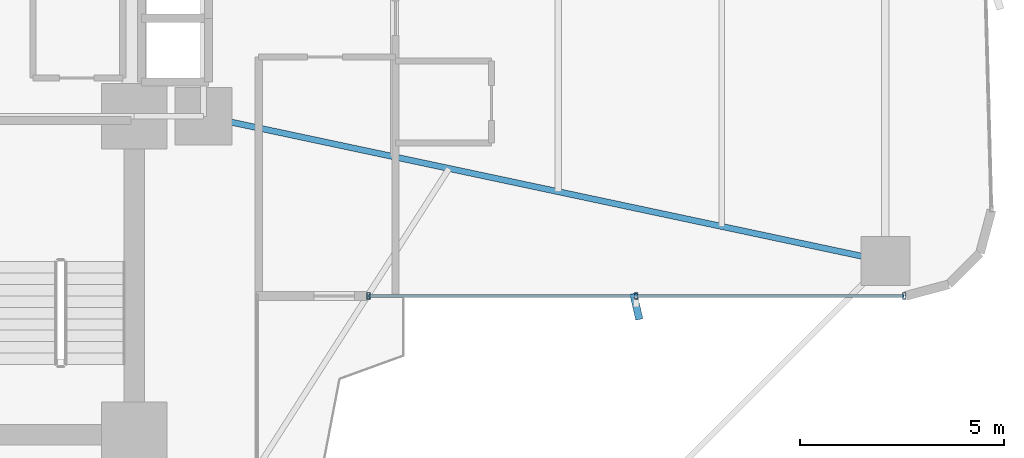
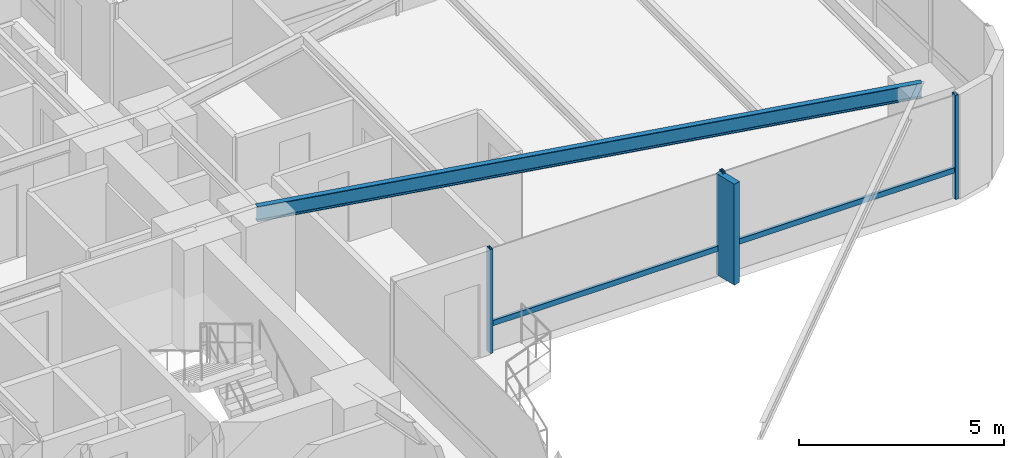
# One storey, part 14 of 26: 6 members, 1 beam, 1 element without a shape of its own.
"""IFC4 building model written with IfcOpenShell, lengths in metres."""

from ifc_helpers import new_model, si_unit, direction, frame, origin, origin_2d, place, context, subcontext, project, spatial, rectangle, hollow_rectangle, i_section, extrude, source, transform, mapped, material, material_profile, profile_set, type_object, element, aggregate, save


model = new_model("IFC4")

# Units and contexts
model_context = context("Model", 3, precision=1e-05, world=origin(), true_north=direction((0.0, 1.0)))
body_context = subcontext(model_context, "Body", "Model", "MODEL_VIEW")
ifc_project = project(units=[si_unit("LENGTHUNIT", "METRE"), si_unit("AREAUNIT", "SQUARE_METRE"), si_unit("VOLUMEUNIT", "CUBIC_METRE"), si_unit("PLANEANGLEUNIT", "RADIAN"), si_unit("MASSUNIT", "GRAM", prefix="KILO")], contexts=[model_context])

# Site, building, storey
site_placement = place(None, origin())
site = spatial("IfcSite", under=ifc_project, at=site_placement, CompositionType="ELEMENT")
building_placement = place(site_placement, origin())
building = spatial("IfcBuilding", under=site, at=building_placement, Name="Sahyath Konkavel Grand Hotel", CompositionType="ELEMENT")
storey_placement = place(building_placement, frame((0.0, 0.0, 29.800048828125)))
storey = spatial("IfcBuildingStorey", under=building, at=storey_placement, Name="L07", CompositionType="ELEMENT", Elevation=29.800048828125)

# Beam
ifc_material_1 = material(Name="Steel E350", Category="steel")
ifc_material_profile_1 = material_profile(ifc_material_1, i_section(OverallWidth=0.14990234375, OverallDepth=0.449951171875, WebThickness=0.009521484375, FlangeThickness=0.017333984375, FilletRadius=0.014892578125, at=origin_2d()), Name="ISMB 450")
ifc_profile_set_1 = profile_set([ifc_material_profile_1], Name="Steel E350")
beam_type = type_object("IfcBeamType", Name="BM-ISMB450", PredefinedType="BEAM", material=ifc_profile_set_1)
shared_shape_1 = source(origin(), body_context, "Body", "SweptSolid", [
    extrude(i_section(OverallWidth=0.14990234375, OverallDepth=0.449951171875, WebThickness=0.009521484375, FlangeThickness=0.017333984375, FilletRadius=0.014892578125, at=origin_2d()), origin(), (0.0, 0.0, 1.0), 17.072998046875),
])
beam_placement = place(storey_placement, frame((5.5, -2.39990234375, 2.885009765625), z_axis=(0.978143257225, -0.20793212437, 0.0), x_axis=(0.20793212437, 0.978143257225, 0.0)))
element("IfcBeam", 1, at=beam_placement, inside=storey, type_object=beam_type, Name="L07 Cruciform Radial Girder EA", PredefinedType="BEAM", context=body_context, shape_type="MappedRepresentation", body=[
    mapped(shared_shape_1, transform((0.0, 0.0, 0.0), scale=1.0)),
])

# Curtain wall, members
ifc_material_2 = material(Name="Anodised Bronze Aluminium & Low-E Glazing", Category="aluminium")
curtain_wall_type = type_object("IfcCurtainWallType", Name="CW-ZONE1", PredefinedType="NOTDEFINED", material=ifc_material_2)
curtain_wall_placement = place(storey_placement, origin())
curtain_wall = element("IfcCurtainWall", 2, at=curtain_wall_placement, inside=storey, type_object=curtain_wall_type, Name="L07 Unitised Curtain Wall F0", PredefinedType="NOTDEFINED")
ifc_material_3 = material(Name="Anodised Bronze Aluminium", Category="aluminium")
ifc_material_profile_2 = material_profile(ifc_material_3, hollow_rectangle(XDim=0.080078125, YDim=0.159912109375, WallThickness=0.006103515625, at=origin_2d()), Name="RHS 160x80x6")
ifc_profile_set_2 = profile_set([ifc_material_profile_2], Name="Anodised Bronze Aluminium")
member_type_1 = type_object("IfcMemberType", Name="CW-MUL-160", PredefinedType="MULLION", material=ifc_profile_set_2)
shared_shape_2 = source(origin(), body_context, "Body", "SweptSolid", [
    extrude(hollow_rectangle(XDim=0.080078125, YDim=0.159912109375, WallThickness=0.006103515625, at=origin_2d()), origin(), (0.0, 0.0, 1.0), 3.10986328125),
])
member_1_placement = place(storey_placement, frame((9.5400390625, -6.800048828125, 0.0), z_axis=(0.0, 0.0, 1.0), x_axis=(1.0, 0.0, 0.0)))
member_1 = element("IfcMember", 3, at=member_1_placement, type_object=member_type_1, Name="L07 Curtain Wall Mullion F0-0", PredefinedType="MULLION", context=body_context, shape_type="MappedRepresentation", body=[
    mapped(shared_shape_2, transform((0.0, 0.0, 0.0), scale=1.0)),
])
member_2_placement = place(storey_placement, frame((16.10009765625, -6.800048828125, 0.0), z_axis=(0.0, 0.0, 1.0), x_axis=(1.0, 0.0, 0.0)))
member_2 = element("IfcMember", 4, at=member_2_placement, type_object=member_type_1, Name="L07 Curtain Wall Mullion F0-1", PredefinedType="MULLION", context=body_context, shape_type="MappedRepresentation", body=[
    mapped(shared_shape_2, transform((0.0, 0.0, 0.0), scale=1.0)),
])
member_3_placement = place(storey_placement, frame((22.659912109375, -6.800048828125, 0.0), z_axis=(0.0, 0.0, 1.0), x_axis=(1.0, 0.0, 0.0)))
member_3 = element("IfcMember", 5, at=member_3_placement, type_object=member_type_1, Name="L07 Curtain Wall Mullion F0-2", PredefinedType="MULLION", context=body_context, shape_type="MappedRepresentation", body=[
    mapped(shared_shape_2, transform((0.0, 0.0, 0.0), scale=1.0)),
])
ifc_material_4 = material(Name="Warm Buff Sandstone Cladding on Concrete C50/60", Category="masonry")
ifc_material_profile_3 = material_profile(ifc_material_4, rectangle(XDim=0.179931640625, YDim=0.64990234375, at=origin_2d()), Name="FIN 180x650")
ifc_profile_set_3 = profile_set([ifc_material_profile_3], Name="Warm Buff Sandstone Cladding on Concrete C50/60")
member_type_2 = type_object("IfcMemberType", Name="FIN-SANDSTONE-650", PredefinedType="MULLION", material=ifc_profile_set_3)
shared_shape_3 = source(origin(), body_context, "Body", "SweptSolid", [
    extrude(rectangle(XDim=0.179931640625, YDim=0.64990234375, at=origin_2d()), origin(), (0.0, 0.0, 1.0), 3.010009765625),
])
member_4_placement = place(storey_placement, frame((16.10009765625, -7.06005859375, 0.050048828125), z_axis=(0.0, 0.0, 1.0), x_axis=(0.973896791711, 0.226991275371, 0.0)))
member_4 = element("IfcMember", 6, at=member_4_placement, type_object=member_type_2, Name="L07 Sandstone Vertical Solar Fin FIN F0-1", PredefinedType="MULLION", context=body_context, shape_type="MappedRepresentation", body=[
    mapped(shared_shape_3, transform((0.0, 0.0, 0.0), scale=1.0)),
])
ifc_material_profile_4 = material_profile(ifc_material_3, hollow_rectangle(XDim=0.080078125, YDim=0.159912109375, WallThickness=0.006103515625, at=origin_2d()), Name="RHS 160x80x6")
ifc_profile_set_4 = profile_set([ifc_material_profile_4], Name="Anodised Bronze Aluminium")
member_type_3 = type_object("IfcMemberType", Name="CW-TRN-160", PredefinedType="USERDEFINED", material=ifc_profile_set_4)
shared_shape_4 = source(origin(), body_context, "Body", "SweptSolid", [
    extrude(hollow_rectangle(XDim=0.080078125, YDim=0.159912109375, WallThickness=0.006103515625, at=origin_2d()), origin(), (0.0, 0.0, 1.0), 6.56005859375),
])
member_5_placement = place(storey_placement, frame((9.5400390625, -6.800048828125, 0.849853515625), z_axis=(1.0, 0.0, 0.0), x_axis=(0.0, 1.0, 0.0)))
member_5 = element("IfcMember", 7, at=member_5_placement, type_object=member_type_3, Name="L07 Curtain Wall Transom F0-0-spandrel", ObjectType="TRANSOM", PredefinedType="USERDEFINED", context=body_context, shape_type="MappedRepresentation", body=[
    mapped(shared_shape_4, transform((0.0, 0.0, 0.0), scale=1.0)),
])
shared_shape_5 = source(origin(), body_context, "Body", "SweptSolid", [
    extrude(hollow_rectangle(XDim=0.080078125, YDim=0.159912109375, WallThickness=0.006103515625, at=origin_2d()), origin(), (0.0, 0.0, 1.0), 6.559814453125),
])
member_6_placement = place(storey_placement, frame((16.10009765625, -6.800048828125, 0.849853515625), z_axis=(1.0, 0.0, 0.0), x_axis=(0.0, 1.0, 0.0)))
member_6 = element("IfcMember", 8, at=member_6_placement, type_object=member_type_3, Name="L07 Curtain Wall Transom F0-1-spandrel", ObjectType="TRANSOM", PredefinedType="USERDEFINED", context=body_context, shape_type="MappedRepresentation", body=[
    mapped(shared_shape_5, transform((0.0, 0.0, 0.0), scale=1.0)),
])
aggregate(curtain_wall, [member_1, member_2, member_4, member_3, member_5, member_6])

save(model, "model.ifc")
